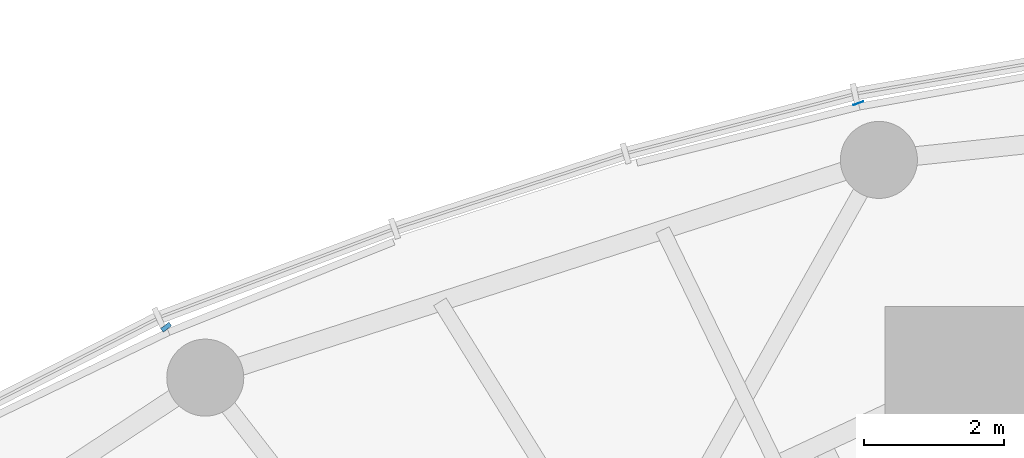
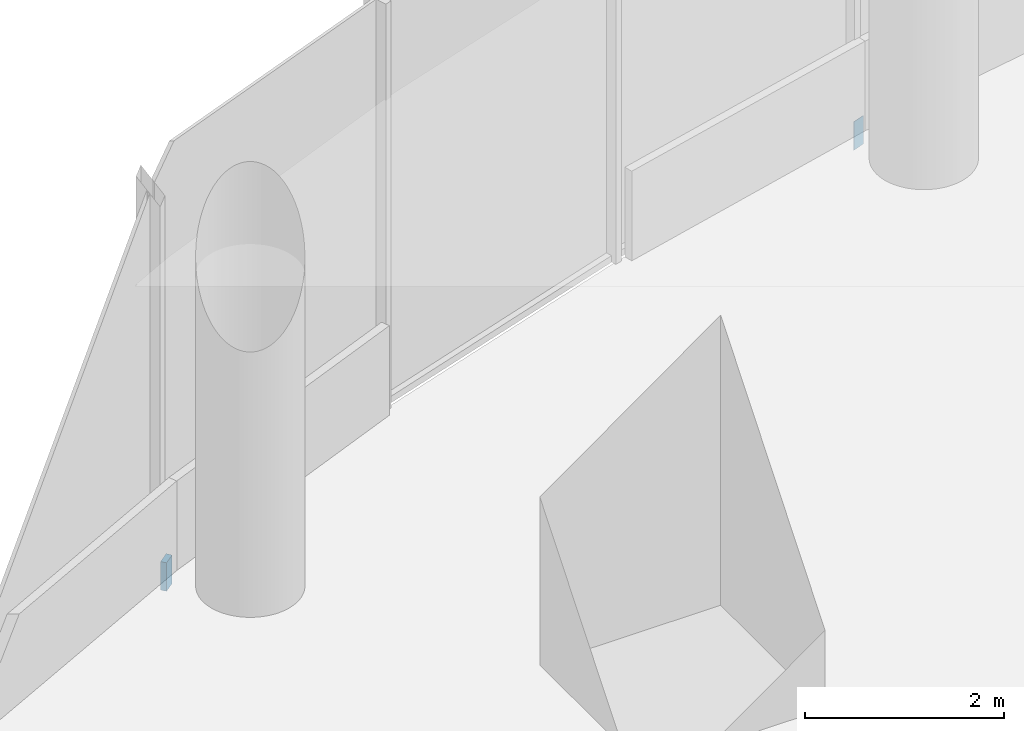
# One storey, part 19 of 28: 2 discrete accessories.
"""IFC4 building model written with IfcOpenShell, lengths in metres."""

from ifc_helpers import new_model, si_unit, direction, frame, origin, origin_2d, place, context, subcontext, project, spatial, rectangle, extrude, material, type_object, element, save


model = new_model("IFC4")

# Units and contexts
model_context = context("Model", 3, precision=1e-05, world=origin(), true_north=direction((0.0, 1.0)))
body_context = subcontext(model_context, "Body", "Model", "MODEL_VIEW")
ifc_project = project(units=[si_unit("LENGTHUNIT", "METRE"), si_unit("AREAUNIT", "SQUARE_METRE"), si_unit("VOLUMEUNIT", "CUBIC_METRE"), si_unit("PLANEANGLEUNIT", "RADIAN"), si_unit("MASSUNIT", "GRAM", prefix="KILO")], contexts=[model_context])

# Site, building, storey
site_placement = place(None, origin())
site = spatial("IfcSite", under=ifc_project, at=site_placement, CompositionType="ELEMENT")
building_placement = place(site_placement, origin())
building = spatial("IfcBuilding", under=site, at=building_placement, Name="Ghaith Harvest Tower", CompositionType="ELEMENT")
storey_placement = place(building_placement, frame((0.0, 0.0, 5.0)))
storey = spatial("IfcBuildingStorey", under=building, at=storey_placement, Name="L01", CompositionType="ELEMENT", Elevation=5.0)

# Discrete accessories
ifc_material_1 = material(Name="Stainless steel grade 1.4401", Category="steel")
discrete_accessory_type_1 = type_object("IfcDiscreteAccessoryType", Name="CURTAIN WALL BRACKET 5", PredefinedType="BRACKET", material=ifc_material_1)
discrete_accessory_1_placement = place(storey_placement, frame((-10.75439453125, 29.775634765625, -0.25), z_axis=(0.0, 0.0, 1.0), x_axis=(-0.339699453402, 0.94053404051, 0.0)))
element("IfcDiscreteAccessory", 1, at=discrete_accessory_1_placement, inside=storey, type_object=discrete_accessory_type_1, Name="CW-P bracket 1 bay 07 L01", PredefinedType="BRACKET", context=body_context, shape_type="SweptSolid", body=[
    extrude(rectangle(XDim=0.0048828125, YDim=0.14990234375, at=origin_2d()), origin(), (0.0, 0.0, 1.0), 0.35009765625),
])
ifc_material_2 = material(Name="Stainless steel grade 1.4401", Category="steel")
discrete_accessory_type_2 = type_object("IfcDiscreteAccessoryType", Name="CURTAIN WALL BRACKET 65", PredefinedType="BRACKET", material=ifc_material_2)
discrete_accessory_2_placement = place(storey_placement, frame((-20.64111328125, 26.577880859375, -0.25), z_axis=(0.0, 0.0, 1.0), x_axis=(-0.613377714422, 0.78978970584, 0.0)))
element("IfcDiscreteAccessory", 2, at=discrete_accessory_2_placement, inside=storey, type_object=discrete_accessory_type_2, Name="CW-P bracket 1 bay 08 L01", PredefinedType="BRACKET", context=body_context, shape_type="SweptSolid", body=[
    extrude(rectangle(XDim=0.06494140625, YDim=0.14990234375, at=origin_2d()), origin(), (0.0, 0.0, 1.0), 0.35009765625),
])

save(model, "model.ifc")
